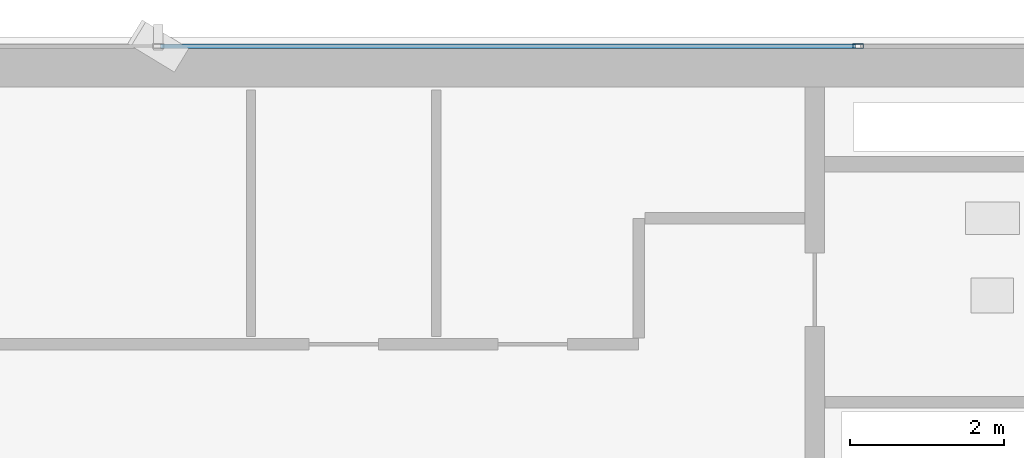
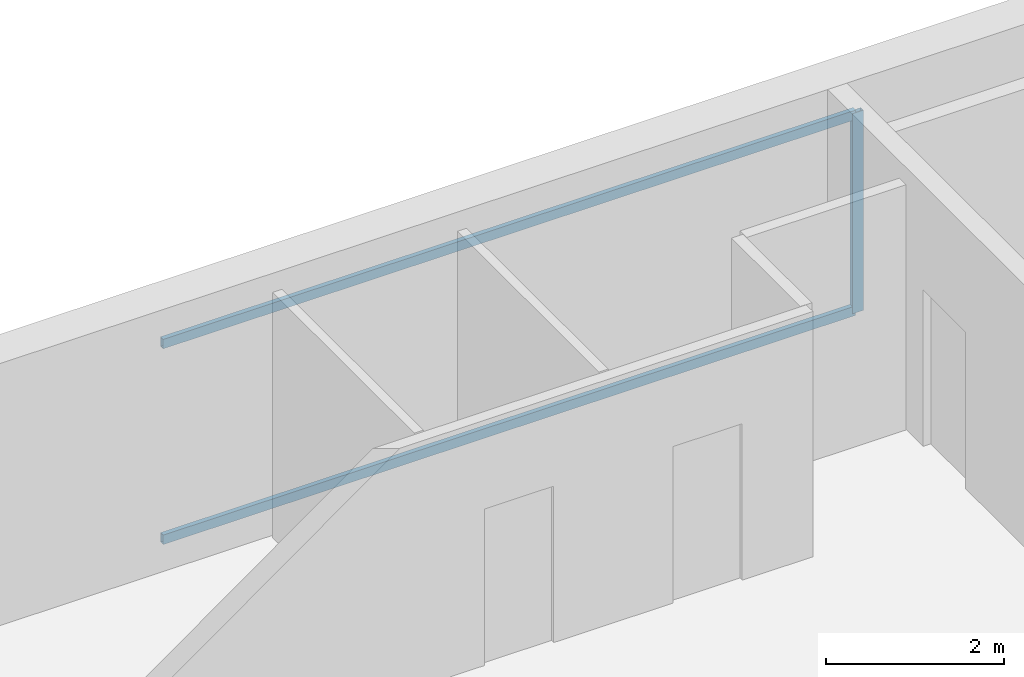
# One storey, part 17 of 25: 3 members, 1 element without a shape of its own.
"""IFC4 building model written with IfcOpenShell, lengths in metres."""

from ifc_helpers import new_model, si_unit, direction, frame, origin, origin_2d, place, context, subcontext, project, spatial, hollow_rectangle, extrude, source, transform, mapped, material, layer, layer_set, material_profile, profile_set, type_object, element, aggregate, save


model = new_model("IFC4")

# Units and contexts
model_context = context("Model", 3, precision=1e-05, world=origin(), true_north=direction((0.0, 1.0)))
body_context = subcontext(model_context, "Body", "Model", "MODEL_VIEW")
ifc_project = project(units=[si_unit("LENGTHUNIT", "METRE"), si_unit("AREAUNIT", "SQUARE_METRE"), si_unit("VOLUMEUNIT", "CUBIC_METRE"), si_unit("PLANEANGLEUNIT", "RADIAN"), si_unit("MASSUNIT", "GRAM", prefix="KILO")], contexts=[model_context])

# Site, building, storey
site_placement = place(None, origin())
site = spatial("IfcSite", under=ifc_project, at=site_placement, CompositionType="ELEMENT")
building_placement = place(site_placement, origin())
building = spatial("IfcBuilding", under=site, at=building_placement, Name="Sumidabori Civic Tower", CompositionType="ELEMENT")
storey_placement = place(building_placement, frame((0.0, 0.0, 246.800048828125)))
storey = spatial("IfcBuildingStorey", under=building, at=storey_placement, Name="L64", CompositionType="ELEMENT", Elevation=246.800048828125)

# Curtain wall, members
ifc_material = material(Name="Anodised Bronze Aluminium AW-6063-T6", Category="aluminium")
ifc_layer = layer(ifc_material, 0.179931640625, Name="Anodised Bronze Aluminium AW-6063-T6")
ifc_layer_set = layer_set([ifc_layer], Name="Anodised Bronze Aluminium AW-6063-T6")
curtain_wall_type = type_object("IfcCurtainWallType", Name="CW-SYS-5", PredefinedType="NOTDEFINED", material=ifc_layer_set)
curtain_wall_placement = place(storey_placement, origin())
curtain_wall = element("IfcCurtainWall", 1, at=curtain_wall_placement, inside=storey, type_object=curtain_wall_type, Name="Curtain Wall CW:L64:R07", PredefinedType="NOTDEFINED")
ifc_material_profile_1 = material_profile(ifc_material, hollow_rectangle(XDim=0.06005859375, YDim=0.139892578125, WallThickness=0.0048828125, at=origin_2d()), Name="ALU MULLION 140x60")
ifc_profile_set_1 = profile_set([ifc_material_profile_1], Name="Anodised Bronze Aluminium AW-6063-T6")
member_type_1 = type_object("IfcMemberType", Name="CW-MUL-140", PredefinedType="MULLION", material=ifc_profile_set_1)
shared_shape_1 = source(origin(), body_context, "Body", "SweptSolid", [
    extrude(hollow_rectangle(XDim=0.06005859375, YDim=0.139892578125, WallThickness=0.0048828125, at=origin_2d()), origin(), (0.0, 0.0, 1.0), 2.75),
])
member_1_placement = place(storey_placement, frame((9.06005859375, 24.080078125, 0.0), z_axis=(0.0, 0.0, 1.0), x_axis=(0.0, -1.0, 0.0)))
member_1 = element("IfcMember", 2, at=member_1_placement, type_object=member_type_1, Name="CW-5 mullion 2", PredefinedType="MULLION", context=body_context, shape_type="MappedRepresentation", body=[
    mapped(shared_shape_1, transform((0.0, 0.0, 0.0), x_axis=(1.0, 0.0, 0.0), y_axis=(0.0, 1.0, 0.0), z_axis=(0.0, 0.0, 1.0), scale=1.0)),
])
ifc_material_profile_2 = material_profile(ifc_material, hollow_rectangle(XDim=0.06005859375, YDim=0.1298828125, WallThickness=0.0048828125, at=origin_2d()), Name="ALU TRANSOM 130x60")
ifc_profile_set_2 = profile_set([ifc_material_profile_2], Name="Anodised Bronze Aluminium AW-6063-T6")
member_type_2 = type_object("IfcMemberType", Name="CW-TRN-130", PredefinedType="USERDEFINED", material=ifc_profile_set_2)
shared_shape_2 = source(origin(), body_context, "Body", "SweptSolid", [
    extrude(hollow_rectangle(XDim=0.06005859375, YDim=0.1298828125, WallThickness=0.0048828125, at=origin_2d()), origin(), (0.0, 0.0, 1.0), 9.0),
])
member_2_placement = place(storey_placement, frame((9.030029296875, 24.080078125, 0.030029296875), z_axis=(-1.0, 0.0, 0.0), x_axis=(0.0, -1.0, 0.0)))
member_2 = element("IfcMember", 3, at=member_2_placement, type_object=member_type_2, Name="CW-5 transom 2.1", ObjectType="TRANSOM", PredefinedType="USERDEFINED", context=body_context, shape_type="MappedRepresentation", body=[
    mapped(shared_shape_2, transform((0.0, 0.0, 0.0), x_axis=(1.0, 0.0, 0.0), y_axis=(0.0, 1.0, 0.0), z_axis=(0.0, 0.0, 1.0), scale=1.0)),
])
member_3_placement = place(storey_placement, frame((9.030029296875, 24.080078125, 2.719970703125), z_axis=(-1.0, 0.0, 0.0), x_axis=(0.0, -1.0, 0.0)))
member_3 = element("IfcMember", 4, at=member_3_placement, type_object=member_type_2, Name="CW-5 transom 2.2", ObjectType="TRANSOM", PredefinedType="USERDEFINED", context=body_context, shape_type="MappedRepresentation", body=[
    mapped(shared_shape_2, transform((0.0, 0.0, 0.0), x_axis=(1.0, 0.0, 0.0), y_axis=(0.0, 1.0, 0.0), z_axis=(0.0, 0.0, 1.0), scale=1.0)),
])
aggregate(curtain_wall, [member_1, member_2, member_3])

save(model, "model.ifc")
